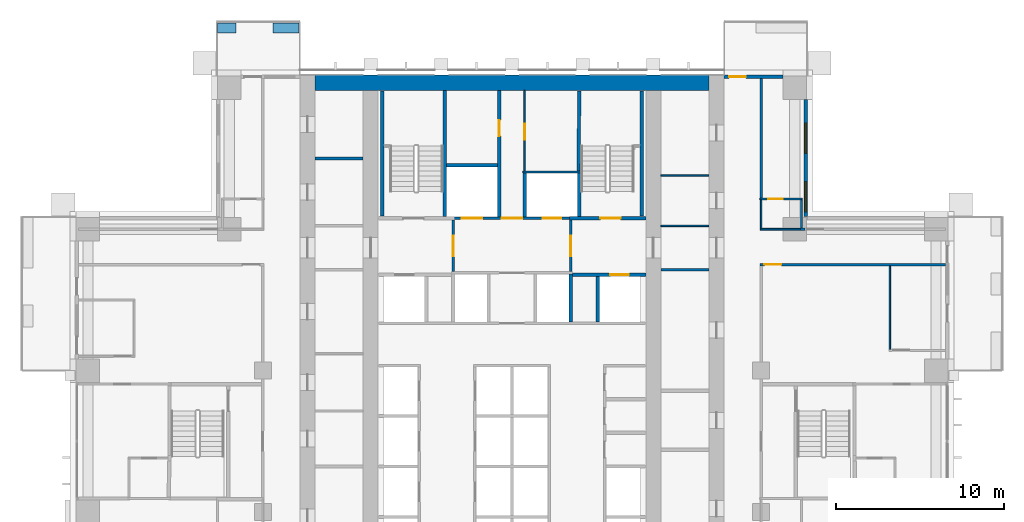
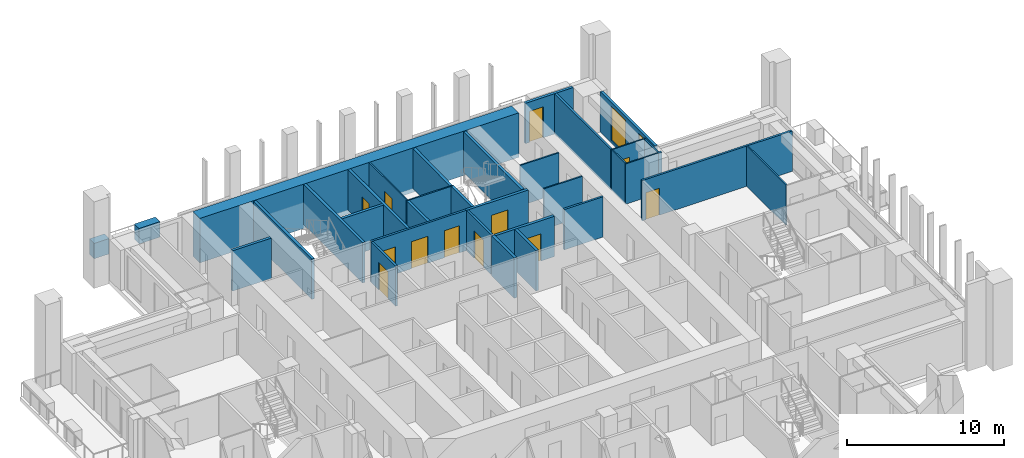
# One storey, part 11 of 17: 34 walls, 12 doors, 2 windows, 14 openings.
"""IFC4 building model written with IfcOpenShell, lengths in metres."""

from ifc_helpers import new_model, si_unit, direction, frame, frame_2d, origin, place, context, subcontext, project, spatial, rectangle, extrude, material, layer, layer_set, type_object, element, fill, save


model = new_model("IFC4")

# Units and contexts
model_context = context("Model", 3, precision=1e-05, world=origin(), true_north=direction((0.0, 1.0)))
body_context = subcontext(model_context, "Body", "Model", "MODEL_VIEW")
ifc_project = project(units=[si_unit("LENGTHUNIT", "METRE"), si_unit("AREAUNIT", "SQUARE_METRE"), si_unit("VOLUMEUNIT", "CUBIC_METRE"), si_unit("PLANEANGLEUNIT", "RADIAN"), si_unit("MASSUNIT", "GRAM", prefix="KILO")], contexts=[model_context])

# Site, building, storey
site_placement = place(None, origin())
site = spatial("IfcSite", under=ifc_project, at=site_placement, CompositionType="ELEMENT")
building_placement = place(site_placement, origin())
building = spatial("IfcBuilding", under=site, at=building_placement, Name="Vermilion Ogive Tower", CompositionType="ELEMENT")
storey_placement = place(building_placement, frame((0.0, 0.0, 69.0)))
storey = spatial("IfcBuildingStorey", under=building, at=storey_placement, Name="L16", CompositionType="ELEMENT", Elevation=69.0)

# Wall
ifc_material_1 = material(Name="Gypsum board partition on steel studs", Category="steel")
ifc_layer_1 = layer(ifc_material_1, 0.10009765625)
ifc_layer_set_1 = layer_set([ifc_layer_1], Name="Partition 100 bath")
wall_type_1 = type_object("IfcWallType", Name="Partition 100 bath", PredefinedType="PARTITIONING", material=ifc_layer_set_1)
wall_1_placement = place(storey_placement, frame((14.75, 12.60009765625, 0.0), z_axis=(0.0, 0.0, 1.0), x_axis=(1.0, 0.0, 0.0)))
element("IfcWall", 1, at=wall_1_placement, inside=storey, type_object=wall_type_1, Name="L16-W-W046", PredefinedType="PARTITIONING", context=body_context, shape_type="SweptSolid", body=[
    extrude(rectangle(XDim=2.5, YDim=0.10009765625, at=frame_2d((1.25, 0.0))), origin(), (0.0, 0.0, 1.0), 3.1298828125),
])

# Wall, opening, door
wall_2_placement = place(storey_placement, frame((14.72509765625, 14.39990234375, 0.0), z_axis=(0.0, 0.0, 1.0), x_axis=(1.0, 0.0, 0.0)))
wall_2 = element("IfcWall", 2, at=wall_2_placement, inside=storey, type_object=wall_type_1, Name="L16-W-W049", PredefinedType="PARTITIONING", context=body_context, shape_type="SweptSolid", body=[
    extrude(rectangle(XDim=2.52490234375, YDim=0.10009765625, at=frame_2d((1.262451171875, 0.0))), origin(), (0.0, 0.0, 1.0), 3.1298828125),
])
opening_1_placement = place(wall_2_placement, frame((0.5, 0.0, 0.0)))
opening_1 = element("IfcOpeningElement", 3, at=opening_1_placement, cuts=wall_2, Name="Opening D1G6024", PredefinedType="OPENING", context=body_context, shape_type="SweptSolid", body=[
    extrude(rectangle(XDim=0.85009765625, YDim=2.10009765625, at=frame_2d((0.425048828125, 1.050048828125))), frame((0.0, 0.06005859375, 0.0), z_axis=(0.0, -1.0, 0.0), x_axis=(1.0, 0.0, 0.0)), (0.0, 0.0, 1.0), 0.1201171875),
])
ifc_material_2 = material(Name="Timber door leaf", Category="wood")
door_type_1 = type_object("IfcDoorType", Name="Bath door 850 x 2100 FD30", OperationType="SINGLE_SWING_LEFT", PredefinedType="DOOR", material=ifc_material_2)
door_1_placement = place(opening_1_placement, origin())
door_1 = element("IfcDoor", 4, at=door_1_placement, inside=storey, type_object=door_type_1, Name="L16-D-D024", OperationType="SINGLE_SWING_RIGHT", OverallHeight=2.10009765625, OverallWidth=0.85009765625, PredefinedType="DOOR", context=body_context, shape_type="SweptSolid", body=[
    extrude(rectangle(XDim=0.85009765625, YDim=2.10009765625, at=frame_2d((0.425048828125, 1.050048828125))), frame((0.0, 0.02490234375, 0.0), z_axis=(0.0, -1.0, 0.0), x_axis=(1.0, 0.0, 0.0)), (0.0, 0.0, 1.0), 0.050048828125),
])
fill(opening_1, door_1)

# Walls
wall_3_placement = place(storey_placement, frame((14.800048828125, 12.64990234375, 0.0), z_axis=(0.0, 0.0, 1.0), x_axis=(0.0, 1.0, 0.0)))
element("IfcWall", 5, at=wall_3_placement, inside=storey, type_object=wall_type_1, Name="L16-W-W086", PredefinedType="PARTITIONING", context=body_context, shape_type="SweptSolid", body=[
    extrude(rectangle(XDim=1.7001953125, YDim=0.10009765625, at=frame_2d((0.85009765625, 0.0))), origin(), (0.0, 0.0, 1.0), 3.1298828125),
])
wall_4_placement = place(storey_placement, frame((17.199951171875, 12.675048828125, 0.0), z_axis=(0.0, 0.0, 1.0), x_axis=(0.0, 1.0, 0.0)))
element("IfcWall", 6, at=wall_4_placement, inside=storey, type_object=wall_type_1, Name="L16-W-W091", PredefinedType="PARTITIONING", context=body_context, shape_type="SweptSolid", body=[
    extrude(rectangle(XDim=1.675048828125, YDim=0.10009765625, at=frame_2d((0.83740234375, 0.0))), origin(), (0.0, 0.0, 1.0), 3.1298828125),
])
wall_5_placement = place(storey_placement, frame((0.64990234375, 16.0, 0.0), z_axis=(0.0, 0.0, 1.0), x_axis=(1.0, 0.0, 0.0)))
element("IfcWall", 7, at=wall_5_placement, inside=storey, type_object=wall_type_1, Name="L16-CK-W-W021", PredefinedType="PARTITIONING", context=body_context, shape_type="SweptSolid", body=[
    extrude(rectangle(XDim=3.4501953125, YDim=0.10009765625, at=frame_2d((1.72509765625, 0.0))), origin(), (0.0, 0.0, 1.0), 3.1298828125),
])

# Wall, opening, door
wall_6_placement = place(storey_placement, frame((0.75, 16.050048828125, 0.0), z_axis=(0.0, 0.0, 1.0), x_axis=(0.0, 1.0, 0.0)))
wall_6 = element("IfcWall", 8, at=wall_6_placement, inside=storey, type_object=wall_type_1, Name="L16-CK-W-W033", PredefinedType="PARTITIONING", context=body_context, shape_type="SweptSolid", body=[
    extrude(rectangle(XDim=4.799072265625, YDim=0.10009765625, at=frame_2d((2.3994140625, 0.0))), origin(), (0.0, 0.0, 1.0), 3.1298828125),
])
opening_2_placement = place(wall_6_placement, frame((1.875, 0.0, 0.0)))
opening_2 = element("IfcOpeningElement", 9, at=opening_2_placement, cuts=wall_6, Name="Opening DAA123", PredefinedType="OPENING", context=body_context, shape_type="SweptSolid", body=[
    extrude(rectangle(XDim=0.949951171875, YDim=2.10009765625, at=frame_2d((0.47509765625, 1.050048828125))), frame((0.0, 0.06005859375, 0.0), z_axis=(0.0, -1.0, 0.0), x_axis=(1.0, 0.0, 0.0)), (0.0, 0.0, 1.0), 0.1201171875),
])
ifc_material_3 = material(Name="Timber door leaf", Category="wood")
door_type_2 = type_object("IfcDoorType", Name="Service door 950 x 2100 FD60", OperationType="SINGLE_SWING_LEFT", PredefinedType="DOOR", material=ifc_material_3)
door_2_placement = place(opening_2_placement, origin())
door_2 = element("IfcDoor", 10, at=door_2_placement, inside=storey, type_object=door_type_2, Name="L16-CK-D-D022", OperationType="SINGLE_SWING_LEFT", OverallHeight=2.10009765625, OverallWidth=0.949951171875, PredefinedType="DOOR", context=body_context, shape_type="SweptSolid", body=[
    extrude(rectangle(XDim=0.949951171875, YDim=2.10009765625, at=frame_2d((0.47509765625, 1.050048828125))), frame((0.0, 0.02490234375, 0.0), z_axis=(0.0, -1.0, 0.0), x_axis=(1.0, 0.0, 0.0)), (0.0, 0.0, 1.0), 0.050048828125),
])
fill(opening_2, door_2)

# Walls
for number, where, z_axis, x_axis, name in (
    (11, (8.85107421875, 12.800048828125, 0.0), (0.0, 0.0, 1.0), (1.0, 0.0, 0.0), "L16-CKE-W-W004"),
    (12, (8.85107421875, 15.800048828125, 0.0), (0.0, 0.0, 1.0), (1.0, 0.0, 0.0), "L16-CKE-W-W005"),
):
    element("IfcWall", number, at=place(storey_placement, frame(where, z_axis=z_axis, x_axis=x_axis)), inside=storey, type_object=wall_type_1, Name=name, PredefinedType="PARTITIONING", context=body_context, shape_type="SweptSolid", body=[
        extrude(rectangle(XDim=2.847900390625, YDim=0.10009765625, at=frame_2d((1.423828125, 0.0))), origin(), (0.0, 0.0, 1.0), 3.1298828125),
    ])
ifc_material_4 = material(Name="Gypsum board partition on steel studs", Category="steel")
ifc_layer_2 = layer(ifc_material_4, 0.10009765625)
ifc_layer_set_2 = layer_set([ifc_layer_2], Name="Partition 100 inner")
wall_type_2 = type_object("IfcWallType", Name="Partition 100 inner", PredefinedType="PARTITIONING", material=ifc_layer_set_2)
wall_7_placement = place(storey_placement, frame((22.449951171875, 5.449951171875, 0.0), z_axis=(0.0, 0.0, 1.0), x_axis=(0.0, 1.0, 0.0)))
element("IfcWall", 13, at=wall_7_placement, inside=storey, type_object=wall_type_2, Name="L16-W-W094", PredefinedType="PARTITIONING", context=body_context, shape_type="SweptSolid", body=[
    extrude(rectangle(XDim=4.97509765625, YDim=0.10009765625, at=frame_2d((2.487548828125, 0.0))), origin(), (0.0, 0.0, 1.0), 3.1298828125),
])

# Wall, opening, door
ifc_material_5 = material(Name="Gypsum board partition on steel studs", Category="steel")
ifc_layer_3 = layer(ifc_material_5, 0.14990234375)
ifc_layer_set_3 = layer_set([ifc_layer_3], Name="Partition 150 corridor")
wall_type_3 = type_object("IfcWallType", Name="Partition 150 corridor", PredefinedType="PARTITIONING", material=ifc_layer_set_3)
wall_8_placement = place(storey_placement, frame((14.72509765625, 10.5, 0.0), z_axis=(0.0, 0.0, 1.0), x_axis=(1.0, 0.0, 0.0)))
wall_8 = element("IfcWall", 14, at=wall_8_placement, inside=storey, type_object=wall_type_3, Name="L16-W-W043", PredefinedType="PARTITIONING", context=body_context, shape_type="SweptSolid", body=[
    extrude(rectangle(XDim=11.02490234375, YDim=0.14990234375, at=frame_2d((5.512451171875, 0.0))), origin(), (0.0, 0.0, 1.0), 3.1298828125),
])
opening_3_placement = place(wall_8_placement, frame((0.27490234375, 0.0, 0.0)))
opening_3 = element("IfcOpeningElement", 15, at=opening_3_placement, cuts=wall_8, Name="Opening D1G6020", PredefinedType="OPENING", context=body_context, shape_type="SweptSolid", body=[
    extrude(rectangle(XDim=1.0, YDim=2.10009765625, at=frame_2d((0.5, 1.050048828125))), frame((0.0, 0.0849609375, 0.0), z_axis=(0.0, -1.0, 0.0), x_axis=(1.0, 0.0, 0.0)), (0.0, 0.0, 1.0), 0.169921875),
])
ifc_material_6 = material(Name="Timber door leaf", Category="wood")
door_type_3 = type_object("IfcDoorType", Name="Unit door 1000 x 2100 FD30S", OperationType="SINGLE_SWING_LEFT", PredefinedType="DOOR", material=ifc_material_6)
door_3_placement = place(opening_3_placement, origin())
door_3 = element("IfcDoor", 16, at=door_3_placement, inside=storey, type_object=door_type_3, Name="L16-D-D020", OperationType="SINGLE_SWING_RIGHT", OverallHeight=2.10009765625, OverallWidth=1.0, PredefinedType="DOOR", context=body_context, shape_type="SweptSolid", body=[
    extrude(rectangle(XDim=1.0, YDim=2.10009765625, at=frame_2d((0.5, 1.050048828125))), frame((0.0, 0.02490234375, 0.0), z_axis=(0.0, -1.0, 0.0), x_axis=(1.0, 0.0, 0.0)), (0.0, 0.0, 1.0), 0.050048828125),
])
fill(opening_3, door_3)

# Walls
wall_9_placement = place(storey_placement, frame((17.14990234375, 12.60009765625, 0.0), z_axis=(0.0, 0.0, 1.0), x_axis=(1.0, 0.0, 0.0)))
element("IfcWall", 17, at=wall_9_placement, inside=storey, type_object=wall_type_3, Name="L16-W-W047", PredefinedType="PARTITIONING", context=body_context, shape_type="SweptSolid", body=[
    extrude(rectangle(XDim=0.25, YDim=0.14990234375, at=frame_2d((0.125, 0.0))), origin(), (0.0, 0.0, 1.0), 3.1298828125),
])
wall_10_placement = place(storey_placement, frame((14.800048828125, 14.449951171875, 0.0), z_axis=(0.0, 0.0, 1.0), x_axis=(0.0, 1.0, 0.0)))
element("IfcWall", 18, at=wall_10_placement, inside=storey, type_object=wall_type_3, Name="L16-W-W087", PredefinedType="PARTITIONING", context=body_context, shape_type="SweptSolid", body=[
    extrude(rectangle(XDim=7.10009765625, YDim=0.14990234375, at=frame_2d((3.550048828125, 0.0))), origin(), (0.0, 0.0, 1.0), 3.1298828125),
])

# Wall, openings, doors
wall_11_placement = place(storey_placement, frame((-3.574951171875, 13.25, 0.0), z_axis=(0.0, 0.0, 1.0), x_axis=(1.0, 0.0, 0.0)))
wall_11 = element("IfcWall", 19, at=wall_11_placement, inside=storey, type_object=wall_type_3, Name="L16-CK-W-W019", PredefinedType="PARTITIONING", context=body_context, shape_type="SweptSolid", body=[
    extrude(rectangle(XDim=7.14990234375, YDim=0.14990234375, at=frame_2d((3.574951171875, 0.0))), origin(), (0.0, 0.0, 1.0), 3.1298828125),
])
opening_4_placement = place(wall_11_placement, frame((0.599853515625, 0.0, 0.0)))
opening_4 = element("IfcOpeningElement", 20, at=opening_4_placement, cuts=wall_11, Name="Opening DAA137", PredefinedType="OPENING", context=body_context, shape_type="SweptSolid", body=[
    extrude(rectangle(XDim=1.199951171875, YDim=2.10009765625, at=frame_2d((0.60009765625, 1.050048828125))), frame((0.0, 0.0849609375, 0.0), z_axis=(0.0, -1.0, 0.0), x_axis=(1.0, 0.0, 0.0)), (0.0, 0.0, 1.0), 0.169921875),
])
opening_5_placement = place(wall_11_placement, frame((5.39990234375, 0.0, 0.0)))
opening_5 = element("IfcOpeningElement", 21, at=opening_5_placement, cuts=wall_11, Name="Opening DAA128", PredefinedType="OPENING", context=body_context, shape_type="SweptSolid", body=[
    extrude(rectangle(XDim=1.10009765625, YDim=2.10009765625, at=frame_2d((0.550048828125, 1.050048828125))), frame((0.0, 0.0849609375, 0.0), z_axis=(0.0, -1.0, 0.0), x_axis=(1.0, 0.0, 0.0)), (0.0, 0.0, 1.0), 0.169921875),
])
opening_6_placement = place(wall_11_placement, frame((2.974853515625, 0.0, 0.0)))
opening_6 = element("IfcOpeningElement", 22, at=opening_6_placement, cuts=wall_11, Name="Opening DAA118", PredefinedType="OPENING", context=body_context, shape_type="SweptSolid", body=[
    extrude(rectangle(XDim=1.199951171875, YDim=2.10009765625, at=frame_2d((0.60009765625, 1.050048828125))), frame((0.0, 0.0849609375, 0.0), z_axis=(0.0, -1.0, 0.0), x_axis=(1.0, 0.0, 0.0)), (0.0, 0.0, 1.0), 0.169921875),
])
ifc_material_7 = material(Name="Stainless steel", Category="steel")
door_type_4 = type_object("IfcDoorType", Name="Lift landing door 1100 x 2100", OperationType="SLIDING_TO_LEFT", PredefinedType="DOOR", material=ifc_material_7)
door_4_placement = place(opening_5_placement, origin())
door_4 = element("IfcDoor", 23, at=door_4_placement, inside=storey, type_object=door_type_4, Name="L16-CK-D-D019", OperationType="SLIDING_TO_LEFT", OverallHeight=2.10009765625, OverallWidth=1.10009765625, PredefinedType="DOOR", context=body_context, shape_type="SweptSolid", body=[
    extrude(rectangle(XDim=1.10009765625, YDim=2.10009765625, at=frame_2d((0.550048828125, 1.050048828125))), frame((0.0, 0.02490234375, 0.0), z_axis=(0.0, -1.0, 0.0), x_axis=(1.0, 0.0, 0.0)), (0.0, 0.0, 1.0), 0.050048828125),
])
fill(opening_5, door_4)
ifc_material_8 = material(Name="Stainless steel", Category="steel")
door_type_5 = type_object("IfcDoorType", Name="Lift landing door 1200 x 2100", OperationType="SLIDING_TO_LEFT", PredefinedType="DOOR", material=ifc_material_8)
door_5_placement = place(opening_4_placement, origin())
door_5 = element("IfcDoor", 24, at=door_5_placement, inside=storey, type_object=door_type_5, Name="L16-CK-D-D018", OperationType="SLIDING_TO_RIGHT", OverallHeight=2.10009765625, OverallWidth=1.199951171875, PredefinedType="DOOR", context=body_context, shape_type="SweptSolid", body=[
    extrude(rectangle(XDim=1.199951171875, YDim=2.10009765625, at=frame_2d((0.60009765625, 1.050048828125))), frame((0.0, 0.02490234375, 0.0), z_axis=(0.0, -1.0, 0.0), x_axis=(1.0, 0.0, 0.0)), (0.0, 0.0, 1.0), 0.050048828125),
])
fill(opening_4, door_5)
ifc_material_9 = material(Name="Timber door leaf", Category="wood")
door_type_6 = type_object("IfcDoorType", Name="Service door 1200 x 2100 FD60", OperationType="SINGLE_SWING_LEFT", PredefinedType="DOOR", material=ifc_material_9)
door_6_placement = place(opening_6_placement, origin())
door_6 = element("IfcDoor", 25, at=door_6_placement, inside=storey, type_object=door_type_6, Name="L16-CK-D-D020", OperationType="SINGLE_SWING_RIGHT", OverallHeight=2.10009765625, OverallWidth=1.199951171875, PredefinedType="DOOR", context=body_context, shape_type="SweptSolid", body=[
    extrude(rectangle(XDim=1.199951171875, YDim=2.10009765625, at=frame_2d((0.60009765625, 1.050048828125))), frame((0.0, 0.02490234375, 0.0), z_axis=(0.0, -1.0, 0.0), x_axis=(1.0, 0.0, 0.0)), (0.0, 0.0, 1.0), 0.050048828125),
])
fill(opening_6, door_6)

# Wall, opening, door
wall_12_placement = place(storey_placement, frame((-3.5, 10.074951171875, 0.0), z_axis=(0.0, 0.0, 1.0), x_axis=(0.0, 1.0, 0.0)))
wall_12 = element("IfcWall", 26, at=wall_12_placement, inside=storey, type_object=wall_type_3, Name="L16-CK-W-W027", PredefinedType="PARTITIONING", context=body_context, shape_type="SweptSolid", body=[
    extrude(rectangle(XDim=3.074951171875, YDim=0.14990234375, at=frame_2d((1.53759765625, 0.0))), origin(), (0.0, 0.0, 1.0), 3.1298828125),
])
opening_7_placement = place(wall_12_placement, frame((0.925048828125, 0.0, 0.0)))
opening_7 = element("IfcOpeningElement", 27, at=opening_7_placement, cuts=wall_12, Name="Opening DAA114", PredefinedType="OPENING", context=body_context, shape_type="SweptSolid", body=[
    extrude(rectangle(XDim=1.199951171875, YDim=2.10009765625, at=frame_2d((0.60009765625, 1.050048828125))), frame((0.0, 0.0849609375, 0.0), z_axis=(0.0, -1.0, 0.0), x_axis=(1.0, 0.0, 0.0)), (0.0, 0.0, 1.0), 0.169921875),
])
ifc_material_10 = material(Name="Timber door leaf", Category="wood")
door_type_7 = type_object("IfcDoorType", Name="Lobby door 1200 x 2100 FD60S", OperationType="SINGLE_SWING_LEFT", PredefinedType="DOOR", material=ifc_material_10)
door_7_placement = place(opening_7_placement, origin())
door_7 = element("IfcDoor", 28, at=door_7_placement, inside=storey, type_object=door_type_7, Name="L16-CK-D-D023", OperationType="SINGLE_SWING_RIGHT", OverallHeight=2.10009765625, OverallWidth=1.199951171875, PredefinedType="DOOR", context=body_context, shape_type="SweptSolid", body=[
    extrude(rectangle(XDim=1.199951171875, YDim=2.10009765625, at=frame_2d((0.60009765625, 1.050048828125))), frame((0.0, 0.02490234375, 0.0), z_axis=(0.0, -1.0, 0.0), x_axis=(1.0, 0.0, 0.0)), (0.0, 0.0, 1.0), 0.050048828125),
])
fill(opening_7, door_7)

wall_13_placement = place(storey_placement, frame((3.5, 10.074951171875, 0.0), z_axis=(0.0, 0.0, 1.0), x_axis=(0.0, 1.0, 0.0)))
wall_13 = element("IfcWall", 29, at=wall_13_placement, inside=storey, type_object=wall_type_3, Name="L16-CK-W-W037", PredefinedType="PARTITIONING", context=body_context, shape_type="SweptSolid", body=[
    extrude(rectangle(XDim=3.074951171875, YDim=0.14990234375, at=frame_2d((1.53759765625, 0.0))), origin(), (0.0, 0.0, 1.0), 3.1298828125),
])
opening_8_placement = place(wall_13_placement, frame((0.925048828125, 0.0, 0.0)))
opening_8 = element("IfcOpeningElement", 30, at=opening_8_placement, cuts=wall_13, Name="Opening DAA115", PredefinedType="OPENING", context=body_context, shape_type="SweptSolid", body=[
    extrude(rectangle(XDim=1.199951171875, YDim=2.10009765625, at=frame_2d((0.60009765625, 1.050048828125))), frame((0.0, 0.0849609375, 0.0), z_axis=(0.0, -1.0, 0.0), x_axis=(1.0, 0.0, 0.0)), (0.0, 0.0, 1.0), 0.169921875),
])
door_8_placement = place(opening_8_placement, origin())
door_8 = element("IfcDoor", 31, at=door_8_placement, inside=storey, type_object=door_type_7, Name="L16-CK-D-D024", OperationType="SINGLE_SWING_LEFT", OverallHeight=2.10009765625, OverallWidth=1.199951171875, PredefinedType="DOOR", context=body_context, shape_type="SweptSolid", body=[
    extrude(rectangle(XDim=1.199951171875, YDim=2.10009765625, at=frame_2d((0.60009765625, 1.050048828125))), frame((0.0, 0.02490234375, 0.0), z_axis=(0.0, -1.0, 0.0), x_axis=(1.0, 0.0, 0.0)), (0.0, 0.0, 1.0), 0.050048828125),
])
fill(opening_8, door_8)

# Wall
wall_14_placement = place(storey_placement, frame((8.85107421875, 10.199951171875, 0.0), z_axis=(0.0, 0.0, 1.0), x_axis=(1.0, 0.0, 0.0)))
element("IfcWall", 32, at=wall_14_placement, inside=storey, type_object=wall_type_3, Name="L16-CKE-W-W003", PredefinedType="PARTITIONING", context=body_context, shape_type="SweptSolid", body=[
    extrude(rectangle(XDim=2.847900390625, YDim=0.14990234375, at=frame_2d((1.423828125, 0.0))), origin(), (0.0, 0.0, 1.0), 3.1298828125),
])

# Wall, opening, door
ifc_material_11 = material(Name="Gypsum board partition on steel studs", Category="steel")
ifc_layer_4 = layer(ifc_material_11, 0.199951171875)
ifc_layer_set_4 = layer_set([ifc_layer_4], Name="Partition 200 party")
wall_type_4 = type_object("IfcWallType", Name="Partition 200 party", PredefinedType="PARTITIONING", material=ifc_layer_set_4)
wall_15_placement = place(storey_placement, frame((3.60009765625, 9.89990234375, 0.0), z_axis=(0.0, 0.0, 1.0), x_axis=(1.0, 0.0, 0.0)))
wall_15 = element("IfcWall", 33, at=wall_15_placement, inside=storey, type_object=wall_type_4, Name="L16-CK-W-W016", PredefinedType="PARTITIONING", context=body_context, shape_type="SweptSolid", body=[
    extrude(rectangle(XDim=4.348876953125, YDim=0.199951171875, at=frame_2d((2.17431640625, 0.0))), origin(), (0.0, 0.0, 1.0), 3.1298828125),
])
opening_9_placement = place(wall_15_placement, frame((2.25, 0.0, 0.0)))
opening_9 = element("IfcOpeningElement", 34, at=opening_9_placement, cuts=wall_15, Name="Opening DAA127", PredefinedType="OPENING", context=body_context, shape_type="SweptSolid", body=[
    extrude(rectangle(XDim=1.10009765625, YDim=2.10009765625, at=frame_2d((0.550048828125, 1.050048828125))), frame((0.0, 0.10986328125, 0.0), z_axis=(0.0, -1.0, 0.0), x_axis=(1.0, 0.0, 0.0)), (0.0, 0.0, 1.0), 0.219970703125),
])
door_9_placement = place(opening_9_placement, origin())
door_9 = element("IfcDoor", 35, at=door_9_placement, inside=storey, type_object=door_type_4, Name="L16-CK-D-D015", OperationType="SLIDING_TO_LEFT", OverallHeight=2.10009765625, OverallWidth=1.10009765625, PredefinedType="DOOR", context=body_context, shape_type="SweptSolid", body=[
    extrude(rectangle(XDim=1.10009765625, YDim=2.10009765625, at=frame_2d((0.550048828125, 1.050048828125))), frame((0.0, 0.02490234375, 0.0), z_axis=(0.0, -1.0, 0.0), x_axis=(1.0, 0.0, 0.0)), (0.0, 0.0, 1.0), 0.050048828125),
])
fill(opening_9, door_9)

# Wall
wall_16_placement = place(storey_placement, frame((-3.89990234375, 16.39990234375, 0.0), z_axis=(0.0, 0.0, 1.0), x_axis=(1.0, 0.0, 0.0)))
element("IfcWall", 36, at=wall_16_placement, inside=storey, type_object=wall_type_4, Name="L16-CK-W-W022", PredefinedType="PARTITIONING", context=body_context, shape_type="SweptSolid", body=[
    extrude(rectangle(XDim=3.0498046875, YDim=0.199951171875, at=frame_2d((1.52490234375, 0.0))), origin(), (0.0, 0.0, 1.0), 3.1298828125),
])

# Wall, opening, door
wall_17_placement = place(storey_placement, frame((-0.75, 13.324951171875, 0.0), z_axis=(0.0, 0.0, 1.0), x_axis=(0.0, 1.0, 0.0)))
wall_17 = element("IfcWall", 37, at=wall_17_placement, inside=storey, type_object=wall_type_4, Name="L16-CK-W-W030", PredefinedType="PARTITIONING", context=body_context, shape_type="SweptSolid", body=[
    extrude(rectangle(XDim=7.524169921875, YDim=0.199951171875, at=frame_2d((3.76220703125, 0.0))), origin(), (0.0, 0.0, 1.0), 3.1298828125),
])
opening_10_placement = place(wall_17_placement, frame((4.800048828125, 0.0, 0.0)))
opening_10 = element("IfcOpeningElement", 38, at=opening_10_placement, cuts=wall_17, Name="Opening DAA122", PredefinedType="OPENING", context=body_context, shape_type="SweptSolid", body=[
    extrude(rectangle(XDim=0.949951171875, YDim=2.10009765625, at=frame_2d((0.47509765625, 1.050048828125))), frame((0.0, 0.10986328125, 0.0), z_axis=(0.0, -1.0, 0.0), x_axis=(1.0, 0.0, 0.0)), (0.0, 0.0, 1.0), 0.219970703125),
])
door_10_placement = place(opening_10_placement, origin())
door_10 = element("IfcDoor", 39, at=door_10_placement, inside=storey, type_object=door_type_2, Name="L16-CK-D-D021", OperationType="SINGLE_SWING_RIGHT", OverallHeight=2.10009765625, OverallWidth=0.949951171875, PredefinedType="DOOR", context=body_context, shape_type="SweptSolid", body=[
    extrude(rectangle(XDim=0.949951171875, YDim=2.10009765625, at=frame_2d((0.47509765625, 1.050048828125))), frame((0.0, 0.02490234375, 0.0), z_axis=(0.0, -1.0, 0.0), x_axis=(1.0, 0.0, 0.0)), (0.0, 0.0, 1.0), 0.050048828125),
])
fill(opening_10, door_10)

# Walls
wall_18_placement = place(storey_placement, frame((0.75, 13.324951171875, 0.0), z_axis=(0.0, 0.0, 1.0), x_axis=(0.0, 1.0, 0.0)))
element("IfcWall", 40, at=wall_18_placement, inside=storey, type_object=wall_type_4, Name="L16-CK-W-W032", PredefinedType="PARTITIONING", context=body_context, shape_type="SweptSolid", body=[
    extrude(rectangle(XDim=2.625, YDim=0.199951171875, at=frame_2d((1.3125, 0.0))), origin(), (0.0, 0.0, 1.0), 3.1298828125),
])
wall_19_placement = place(storey_placement, frame((3.5, 7.074951171875, 0.0), z_axis=(0.0, 0.0, 1.0), x_axis=(0.0, 1.0, 0.0)))
element("IfcWall", 41, at=wall_19_placement, inside=storey, type_object=wall_type_4, Name="L16-CK-W-W036", PredefinedType="PARTITIONING", context=body_context, shape_type="SweptSolid", body=[
    extrude(rectangle(XDim=2.85009765625, YDim=0.199951171875, at=frame_2d((1.425048828125, 0.0))), origin(), (0.0, 0.0, 1.0), 3.1298828125),
])
wall_20_placement = place(storey_placement, frame((5.10009765625, 7.074951171875, 0.0), z_axis=(0.0, 0.0, 1.0), x_axis=(0.0, 1.0, 0.0)))
element("IfcWall", 42, at=wall_20_placement, inside=storey, type_object=wall_type_4, Name="L16-CK-W-W040", PredefinedType="PARTITIONING", context=body_context, shape_type="SweptSolid", body=[
    extrude(rectangle(XDim=2.72509765625, YDim=0.199951171875, at=frame_2d((1.362548828125, 0.0))), origin(), (0.0, 0.0, 1.0), 3.1298828125),
])
wall_21_placement = place(storey_placement, frame((-11.698974609375, 16.800048828125, 0.0), z_axis=(0.0, 0.0, 1.0), x_axis=(1.0, 0.0, 0.0)))
element("IfcWall", 43, at=wall_21_placement, inside=storey, type_object=wall_type_4, Name="L16-CKW-W-W006", PredefinedType="PARTITIONING", context=body_context, shape_type="SweptSolid", body=[
    extrude(rectangle(XDim=2.847900390625, YDim=0.199951171875, at=frame_2d((1.423828125, 0.0))), origin(), (0.0, 0.0, 1.0), 3.1298828125),
])
ifc_material_12 = material(Name="Concrete B60", Category="concrete")
ifc_layer_5 = layer(ifc_material_12, 0.199951171875)
ifc_layer_set_5 = layer_set([ifc_layer_5], Name="Stair shaft wall 200 Concrete B60")
wall_type_5 = type_object("IfcWallType", Name="Stair shaft wall 200 Concrete B60", PredefinedType="SOLIDWALL", material=ifc_layer_set_5)
wall_22_placement = place(storey_placement, frame((-11.699951171875, 21.300048828125, -0.320068359375), z_axis=(0.0, 0.0, 1.0), x_axis=(1.0, 0.0, 0.0)))
element("IfcWall", 44, at=wall_22_placement, inside=storey, type_object=wall_type_5, Name="L16-CORE-N", PredefinedType="SOLIDWALL", context=body_context, shape_type="SweptSolid", body=[
    extrude(rectangle(XDim=23.39990234375, YDim=0.89990234375, at=frame_2d((11.699951171875, 0.0))), origin(), (0.0, 0.0, 1.0), 3.449951171875),
])

# Wall, opening, door
wall_23_placement = place(storey_placement, frame((3.425048828125, 13.25, 0.0), z_axis=(0.0, 0.0, 1.0), x_axis=(1.0, 0.0, 0.0)))
wall_23 = element("IfcWall", 45, at=wall_23_placement, inside=storey, type_object=wall_type_5, Name="L16-CK-W-W020", PredefinedType="SOLIDWALL", context=body_context, shape_type="SweptSolid", body=[
    extrude(rectangle(XDim=4.52392578125, YDim=0.199951171875, at=frame_2d((2.261962890625, 0.0))), origin(), (0.0, 0.0, 1.0), 3.1298828125),
])
opening_11_placement = place(wall_23_placement, frame((1.824951171875, 0.0, 0.0)))
opening_11 = element("IfcOpeningElement", 46, at=opening_11_placement, cuts=wall_23, Name="Opening DAA125", PredefinedType="OPENING", context=body_context, shape_type="SweptSolid", body=[
    extrude(rectangle(XDim=1.199951171875, YDim=2.10009765625, at=frame_2d((0.60009765625, 1.050048828125))), frame((0.0, 0.10986328125, 0.0), z_axis=(0.0, -1.0, 0.0), x_axis=(1.0, 0.0, 0.0)), (0.0, 0.0, 1.0), 0.219970703125),
])
ifc_material_13 = material(Name="Timber door leaf", Category="wood")
door_type_8 = type_object("IfcDoorType", Name="Stair door 1200 x 2100 FD60S", OperationType="SINGLE_SWING_LEFT", PredefinedType="DOOR", material=ifc_material_13)
door_11_placement = place(opening_11_placement, origin())
door_11 = element("IfcDoor", 47, at=door_11_placement, inside=storey, type_object=door_type_8, Name="L16-CK-D-D014", OperationType="SINGLE_SWING_RIGHT", OverallHeight=2.10009765625, OverallWidth=1.199951171875, PredefinedType="DOOR", context=body_context, shape_type="SweptSolid", body=[
    extrude(rectangle(XDim=1.199951171875, YDim=2.10009765625, at=frame_2d((0.60009765625, 1.050048828125))), frame((0.0, 0.02490234375, 0.0), z_axis=(0.0, -1.0, 0.0), x_axis=(1.0, 0.0, 0.0)), (0.0, 0.0, 1.0), 0.050048828125),
])
fill(opening_11, door_11)

# Walls
wall_24_placement = place(storey_placement, frame((-4.0, 13.35009765625, 0.0), z_axis=(0.0, 0.0, 1.0), x_axis=(0.0, 1.0, 0.0)))
element("IfcWall", 48, at=wall_24_placement, inside=storey, type_object=wall_type_5, Name="L16-CK-W-W025", PredefinedType="SOLIDWALL", context=body_context, shape_type="SweptSolid", body=[
    extrude(rectangle(XDim=7.4990234375, YDim=0.199951171875, at=frame_2d((3.74951171875, 0.0))), origin(), (0.0, 0.0, 1.0), 3.1298828125),
])
wall_25_placement = place(storey_placement, frame((4.0, 13.35009765625, 0.0), z_axis=(0.0, 0.0, 1.0), x_axis=(0.0, 1.0, 0.0)))
element("IfcWall", 49, at=wall_25_placement, inside=storey, type_object=wall_type_5, Name="L16-CK-W-W038", PredefinedType="SOLIDWALL", context=body_context, shape_type="SweptSolid", body=[
    extrude(rectangle(XDim=2.599853515625, YDim=0.199951171875, at=frame_2d((1.2998046875, 0.0))), origin(), (0.0, 0.0, 1.0), 3.1298828125),
])
wall_26_placement = place(storey_placement, frame((3.949951171875, 16.050048828125, 0.0), z_axis=(0.0, 0.0, 1.0), x_axis=(0.010538176883, 0.999944471872, 0.0)))
element("IfcWall", 50, at=wall_26_placement, inside=storey, type_object=wall_type_5, Name="L16-CK-W-W039", PredefinedType="SOLIDWALL", context=body_context, shape_type="SweptSolid", body=[
    extrude(rectangle(XDim=4.749267578125, YDim=0.199951171875, at=frame_2d((2.37451171875, 0.0))), origin(), (0.0, 0.0, 1.0), 3.1298828125),
])
for number, where, z_axis, x_axis, name in (
    (51, (-7.699951171875, 13.39990234375, 0.0), (0.0, 0.0, 1.0), (0.0, 1.0, 0.0), "L16-SW-R023-W1"),
    (52, (7.699951171875, 13.39990234375, 0.0), (0.0, 0.0, 1.0), (0.0, 1.0, 0.0), "L16-SW-R027-E1"),
):
    element("IfcWall", number, at=place(storey_placement, frame(where, z_axis=z_axis, x_axis=x_axis)), inside=storey, type_object=wall_type_5, Name=name, PredefinedType="SOLIDWALL", context=body_context, shape_type="SweptSolid", body=[
        extrude(rectangle(XDim=7.400146484375, YDim=0.199951171875, at=frame_2d((3.7001953125, 0.0))), origin(), (0.0, 0.0, 1.0), 3.1298828125),
    ])
ifc_material_14 = material(Name="Concrete B40", Category="concrete")
ifc_layer_6 = layer(ifc_material_14, 0.60009765625)
ifc_layer_set_6 = layer_set([ifc_layer_6], Name="Structural planter")
wall_type_6 = type_object("IfcWallType", Name="Structural planter", PredefinedType="USERDEFINED", material=ifc_layer_set_6)
wall_27_placement = place(storey_placement, frame((-12.659912109375, 24.550048828125, -0.0400390625), z_axis=(0.0, 0.0, 1.0), x_axis=(-1.0, 0.0, 0.0)))
element("IfcWall", 53, at=wall_27_placement, inside=storey, type_object=wall_type_6, Name="Planter N201A1", ObjectType="PLANTER", PredefinedType="USERDEFINED", context=body_context, shape_type="SweptSolid", body=[
    extrude(rectangle(XDim=1.5400390625, YDim=0.60009765625, at=frame_2d((0.77001953125, 0.0))), origin(), (0.0, 0.0, 1.0), 1.199951171875),
])
wall_28_placement = place(storey_placement, frame((-16.39990234375, 24.550048828125, -0.0400390625), z_axis=(0.0, 0.0, 1.0), x_axis=(-1.0, 0.0, 0.0)))
element("IfcWall", 54, at=wall_28_placement, inside=storey, type_object=wall_type_6, Name="Planter N201A2", ObjectType="PLANTER", PredefinedType="USERDEFINED", context=body_context, shape_type="SweptSolid", body=[
    extrude(rectangle(XDim=1.090087890625, YDim=0.60009765625, at=frame_2d((0.544921875, 0.0))), origin(), (0.0, 0.0, 1.0), 1.199951171875),
])

# Wall, openings, windows
ifc_material_15 = material(Name="Aluminium window wall framing", Category="aluminium")
ifc_layer_7 = layer(ifc_material_15, 0.199951171875)
ifc_layer_set_7 = layer_set([ifc_layer_7], Name="Window wall")
wall_type_7 = type_object("IfcWallType", Name="Window wall", PredefinedType="STANDARD", material=ifc_layer_set_7)
wall_29_placement = place(storey_placement, frame((17.449951171875, 13.35009765625, 0.0), z_axis=(0.0, 0.0, 1.0), x_axis=(0.0, 1.0, 0.0)))
wall_29 = element("IfcWall", 55, at=wall_29_placement, inside=storey, type_object=wall_type_7, Name="Window wall X41", PredefinedType="STANDARD", context=body_context, shape_type="SweptSolid", body=[
    extrude(rectangle(XDim=6.949951171875, YDim=0.199951171875, at=frame_2d((3.47509765625, 0.0))), origin(), (0.0, 0.0, 1.0), 3.1298828125),
])
opening_12_placement = place(wall_29_placement, frame((0.27490234375, 0.0, 0.199951171875)))
opening_12 = element("IfcOpeningElement", 56, at=opening_12_placement, cuts=wall_29, Name="Opening W1-X403", PredefinedType="OPENING", context=body_context, shape_type="SweptSolid", body=[
    extrude(rectangle(XDim=1.800048828125, YDim=2.64990234375, at=frame_2d((0.89990234375, 1.324951171875))), frame((0.0, 0.10986328125, 0.0), z_axis=(0.0, -1.0, 0.0), x_axis=(1.0, 0.0, 0.0)), (0.0, 0.0, 1.0), 0.219970703125),
])
opening_13_placement = place(wall_29_placement, frame((3.75, 0.0, 0.199951171875)))
opening_13 = element("IfcOpeningElement", 57, at=opening_13_placement, cuts=wall_29, Name="Opening W1-X404", PredefinedType="OPENING", context=body_context, shape_type="SweptSolid", body=[
    extrude(rectangle(XDim=1.800048828125, YDim=2.64990234375, at=frame_2d((0.89990234375, 1.324951171875))), frame((0.0, 0.10986328125, 0.0), z_axis=(0.0, -1.0, 0.0), x_axis=(1.0, 0.0, 0.0)), (0.0, 0.0, 1.0), 0.219970703125),
])
ifc_material_16 = material(Name="Aluminium framed double glazing", Category="aluminium")
window_type = type_object("IfcWindowType", Name="Guest window W1", PartitioningType="SINGLE_PANEL", PredefinedType="WINDOW", material=ifc_material_16)
window_1_placement = place(opening_12_placement, origin())
window_1 = element("IfcWindow", 58, at=window_1_placement, inside=storey, type_object=window_type, Name="Window X403", OverallHeight=2.64990234375, OverallWidth=1.800048828125, PartitioningType="SINGLE_PANEL", PredefinedType="WINDOW", context=body_context, shape_type="SweptSolid", body=[
    extrude(rectangle(XDim=1.800048828125, YDim=2.64990234375, at=frame_2d((0.89990234375, 1.324951171875))), frame((0.0, 0.030029296875, 0.0), z_axis=(0.0, -1.0, 0.0), x_axis=(1.0, 0.0, 0.0)), (0.0, 0.0, 1.0), 0.06005859375),
])
fill(opening_12, window_1)
window_2_placement = place(opening_13_placement, origin())
window_2 = element("IfcWindow", 59, at=window_2_placement, inside=storey, type_object=window_type, Name="Window X404", OverallHeight=2.64990234375, OverallWidth=1.800048828125, PartitioningType="SINGLE_PANEL", PredefinedType="WINDOW", context=body_context, shape_type="SweptSolid", body=[
    extrude(rectangle(XDim=1.800048828125, YDim=2.64990234375, at=frame_2d((0.89990234375, 1.324951171875))), frame((0.0, 0.030029296875, 0.0), z_axis=(0.0, -1.0, 0.0), x_axis=(1.0, 0.0, 0.0)), (0.0, 0.0, 1.0), 0.06005859375),
])
fill(opening_13, window_2)

# Wall, opening, door
wall_30_placement = place(storey_placement, frame((16.10009765625, 21.64990234375, 0.0), z_axis=(0.0, 0.0, 1.0), x_axis=(-1.0, 0.0, 0.0)))
wall_30 = element("IfcWall", 60, at=wall_30_placement, inside=storey, type_object=wall_type_7, Name="Window wall N11", PredefinedType="STANDARD", context=body_context, shape_type="SweptSolid", body=[
    extrude(rectangle(XDim=3.5, YDim=0.199951171875, at=frame_2d((1.75, 0.0))), origin(), (0.0, 0.0, 1.0), 3.1298828125),
])
opening_14_placement = place(wall_30_placement, frame((2.199951171875, 0.0, 0.0)))
opening_14 = element("IfcOpeningElement", 61, at=opening_14_placement, cuts=wall_30, Name="Opening D1-N103", PredefinedType="OPENING", context=body_context, shape_type="SweptSolid", body=[
    extrude(rectangle(XDim=1.0, YDim=2.39990234375, at=frame_2d((0.5, 1.199951171875))), frame((0.0, 0.10986328125, 0.0), z_axis=(0.0, -1.0, 0.0), x_axis=(1.0, 0.0, 0.0)), (0.0, 0.0, 1.0), 0.219970703125),
])
ifc_material_17 = material(Name="Aluminium framed glazed door", Category="aluminium")
door_type_9 = type_object("IfcDoorType", Name="Balcony door D1", OperationType="SINGLE_SWING_LEFT", PredefinedType="DOOR", material=ifc_material_17)
door_12_placement = place(opening_14_placement, origin())
door_12 = element("IfcDoor", 62, at=door_12_placement, inside=storey, type_object=door_type_9, Name="Balcony door N103", OperationType="SINGLE_SWING_LEFT", OverallHeight=2.39990234375, OverallWidth=1.0, PredefinedType="DOOR", context=body_context, shape_type="SweptSolid", body=[
    extrude(rectangle(XDim=1.0, YDim=2.39990234375, at=frame_2d((0.5, 1.199951171875))), frame((0.0, 0.02490234375, 0.0), z_axis=(0.0, -1.0, 0.0), x_axis=(1.0, 0.0, 0.0)), (0.0, 0.0, 1.0), 0.050048828125),
])
fill(opening_14, door_12)

save(model, "model.ifc")
